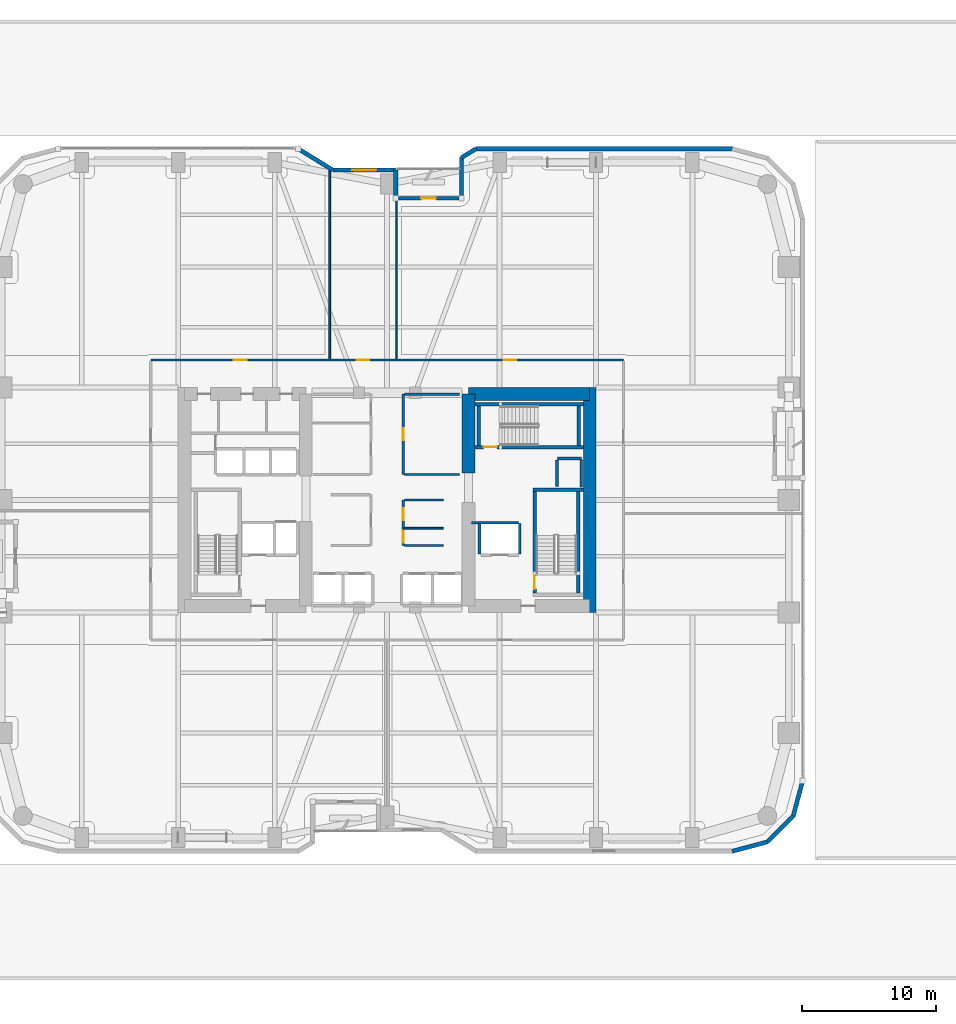
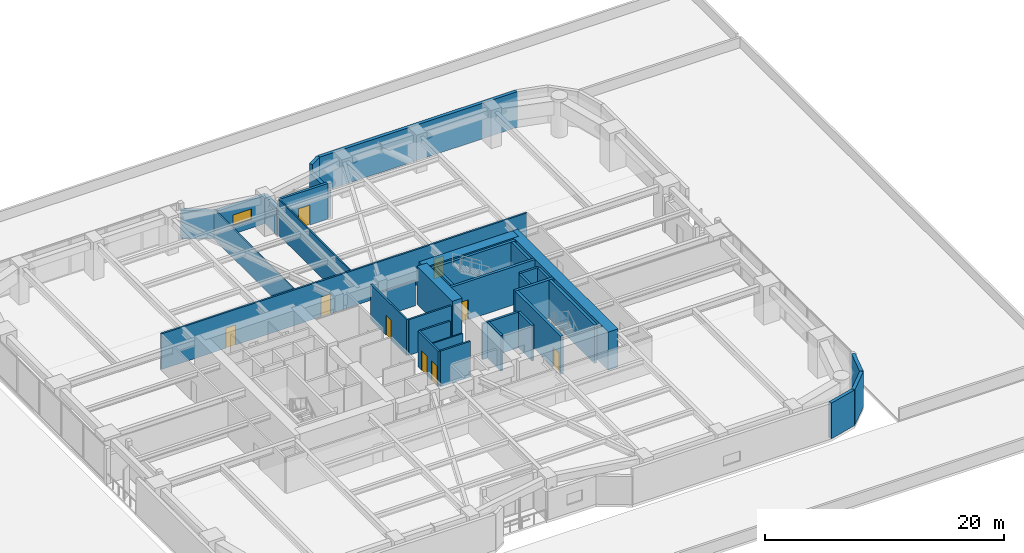
# One storey, part 30 of 38: 36 walls, 9 doors, 1 window, 10 openings.
"""IFC4 building model written with IfcOpenShell, lengths in metres."""

from ifc_helpers import new_model, si_unit, direction, frame, frame_2d, origin, place, context, subcontext, project, spatial, rectangle, extrude, material, layer, layer_set, type_object, element, fill, save


model = new_model("IFC4")

# Units and contexts
model_context = context("Model", 3, precision=1e-05, world=origin(), true_north=direction((0.0, 1.0)))
body_context = subcontext(model_context, "Body", "Model", "MODEL_VIEW")
ifc_project = project(units=[si_unit("LENGTHUNIT", "METRE"), si_unit("AREAUNIT", "SQUARE_METRE"), si_unit("VOLUMEUNIT", "CUBIC_METRE"), si_unit("PLANEANGLEUNIT", "RADIAN"), si_unit("MASSUNIT", "GRAM", prefix="KILO")], contexts=[model_context])

# Site, building, storey
site_placement = place(None, origin())
site = spatial("IfcSite", under=ifc_project, at=site_placement, CompositionType="ELEMENT")
building_placement = place(site_placement, origin())
building = spatial("IfcBuilding", under=site, at=building_placement, Name="Kiyonajd Concourse Tower", CompositionType="ELEMENT")
storey_placement = place(building_placement, frame((0.0, 0.0, 21.60009765625)))
storey = spatial("IfcBuildingStorey", under=building, at=storey_placement, Name="L06", CompositionType="ELEMENT", Elevation=21.60009765625)

# Walls
ifc_material_1 = material(Name="Concrete C80/95", Category="concrete")
ifc_layer_1 = layer(ifc_material_1, 0.949951171875)
ifc_layer_set_1 = layer_set([ifc_layer_1], Name="Concrete C80/95")
wall_type_1 = type_object("IfcWallType", Name="WL-CORE-950", PredefinedType="SHEAR", material=ifc_layer_set_1)
wall_1_placement = place(storey_placement, frame((54.074951171875, 38.0, 0.0), z_axis=(0.0, 0.0, 1.0), x_axis=(0.0, 1.0, 0.0)))
element("IfcWall", 1, at=wall_1_placement, inside=storey, type_object=wall_type_1, Name="L06 East Core Inner North Shear Wall", PredefinedType="SHEAR", context=body_context, shape_type="SweptSolid", body=[
    extrude(rectangle(XDim=5.925048828125, YDim=0.949951171875, at=frame_2d((2.96240234375, 0.0))), origin(), (0.0, 0.0, 1.0), 3.89990234375),
])
wall_2_placement = place(storey_placement, frame((63.125, 27.60009765625, 0.0), z_axis=(0.0, 0.0, 1.0), x_axis=(0.0, 1.0, 0.0)))
element("IfcWall", 2, at=wall_2_placement, inside=storey, type_object=wall_type_1, Name="L06 East Core Outer Shear Wall", PredefinedType="SHEAR", context=body_context, shape_type="SweptSolid", body=[
    extrude(rectangle(XDim=16.7998046875, YDim=0.949951171875, at=frame_2d((8.39990234375, 0.0))), origin(), (0.0, 0.0, 1.0), 3.89990234375),
])
wall_3_placement = place(storey_placement, frame((54.074951171875, 43.925048828125, 0.0), z_axis=(0.0, 0.0, 1.0), x_axis=(1.0, 0.0, 0.0)))
element("IfcWall", 3, at=wall_3_placement, inside=storey, type_object=wall_type_1, Name="L06 East Core North Shear Wall", PredefinedType="SHEAR", context=body_context, shape_type="SweptSolid", body=[
    extrude(rectangle(XDim=9.050048828125, YDim=0.949951171875, at=frame_2d((4.52490234375, 0.0))), origin(), (0.0, 0.0, 1.0), 3.89990234375),
])
ifc_material_2 = material(Name="Precast concrete C50/60", Category="concrete")
ifc_layer_2 = layer(ifc_material_2, 0.320068359375)
ifc_layer_set_2 = layer_set([ifc_layer_2], Name="Precast concrete C50/60")
wall_type_2 = type_object("IfcWallType", Name="WL-EXT-320", PredefinedType="SOLIDWALL", material=ifc_layer_set_2)
wall_4_placement = place(storey_placement, frame((41.354736328125, 62.239990234375, 0.0), z_axis=(0.0, 0.0, 1.0), x_axis=(0.851630857047, -0.524142044989, 0.0)))
element("IfcWall", 4, at=wall_4_placement, inside=storey, type_object=wall_type_2, Name="L06 Exterior Concrete Frame Wall 10", PredefinedType="SOLIDWALL", context=body_context, shape_type="SweptSolid", body=[
    extrude(rectangle(XDim=3.052734375, YDim=0.320068359375, at=frame_2d((1.5263671875, 0.0))), origin(), (0.0, 0.0, 1.0), 2.875),
])

# Wall, opening, window
wall_5_placement = place(storey_placement, frame((43.95458984375, 60.639892578125, 0.0), z_axis=(0.0, 0.0, 1.0), x_axis=(1.0, 0.0, 0.0)))
wall_5 = element("IfcWall", 5, at=wall_5_placement, inside=storey, type_object=wall_type_2, Name="L06 Exterior Concrete Frame Wall 11", PredefinedType="SOLIDWALL", context=body_context, shape_type="SweptSolid", body=[
    extrude(rectangle(XDim=4.685302734375, YDim=0.320068359375, at=frame_2d((2.3427734375, 0.0))), origin(), (0.0, 0.0, 1.0), 2.875),
])
opening_1_placement = place(wall_5_placement, frame((1.443115234375, 0.0, 0.85009765625)))
opening_1 = element("IfcOpeningElement", 6, at=opening_1_placement, cuts=wall_5, Name="Opening WN1", PredefinedType="OPENING", context=body_context, shape_type="SweptSolid", body=[
    extrude(rectangle(XDim=1.800048828125, YDim=1.10009765625, at=frame_2d((0.89990234375, 0.550048828125))), frame((0.0, 0.169921875, 0.0), z_axis=(0.0, -1.0, 0.0), x_axis=(1.0, 0.0, 0.0)), (0.0, 0.0, 1.0), 0.340087890625),
])
ifc_material_3 = material(Name="Double Low-E Insulated Glass", Category="glass")
window_type = type_object("IfcWindowType", Name="WN-VIS-1800x1100", PartitioningType="SINGLE_PANEL", PredefinedType="WINDOW", material=ifc_material_3)
window_placement = place(opening_1_placement, origin())
window = element("IfcWindow", 7, at=window_placement, inside=storey, type_object=window_type, Name="L06 Modular Facade Vision Window 11", OverallHeight=1.10009765625, OverallWidth=1.800048828125, PartitioningType="SINGLE_PANEL", PredefinedType="WINDOW", context=body_context, shape_type="SweptSolid", body=[
    extrude(rectangle(XDim=1.800048828125, YDim=1.10009765625, at=frame_2d((0.89990234375, 0.550048828125))), frame((0.0, 0.030029296875, 0.0), z_axis=(0.0, -1.0, 0.0), x_axis=(1.0, 0.0, 0.0)), (0.0, 0.0, 1.0), 0.06005859375),
])
fill(opening_1, window)

# Walls
wall_6_placement = place(storey_placement, frame((48.639892578125, 60.639892578125, 0.0), z_axis=(0.0, 0.0, 1.0), x_axis=(0.0, -1.0, 0.0)))
element("IfcWall", 8, at=wall_6_placement, inside=storey, type_object=wall_type_2, Name="L06 Exterior Concrete Frame Wall 12", PredefinedType="SOLIDWALL", context=body_context, shape_type="SweptSolid", body=[
    extrude(rectangle(XDim=2.099853515625, YDim=0.320068359375, at=frame_2d((1.0498046875, 0.0))), origin(), (0.0, 0.0, 1.0), 2.875),
])
wall_7_placement = place(storey_placement, frame((53.56005859375, 58.5400390625, 0.0), z_axis=(0.0, 0.0, 1.0), x_axis=(0.0, 1.0, 0.0)))
element("IfcWall", 9, at=wall_7_placement, inside=storey, type_object=wall_type_2, Name="L06 Exterior Concrete Frame Wall 14", PredefinedType="SOLIDWALL", context=body_context, shape_type="SweptSolid", body=[
    extrude(rectangle(XDim=3.032470703125, YDim=0.320068359375, at=frame_2d((1.51611328125, 0.0))), origin(), (0.0, 0.0, 1.0), 2.875),
])
wall_8_placement = place(storey_placement, frame((53.56005859375, 61.572509765625, 0.0), z_axis=(0.0, 0.0, 1.0), x_axis=(0.851776724646, 0.523904964045, 0.0)))
element("IfcWall", 10, at=wall_8_placement, inside=storey, type_object=wall_type_2, Name="L06 Exterior Concrete Frame Wall 15", PredefinedType="SOLIDWALL", context=body_context, shape_type="SweptSolid", body=[
    extrude(rectangle(XDim=1.274169921875, YDim=0.320068359375, at=frame_2d((0.63720703125, 0.0))), origin(), (0.0, 0.0, 1.0), 3.639892578125),
])
wall_9_placement = place(storey_placement, frame((54.645263671875, 62.239990234375, 0.0), z_axis=(0.0, 0.0, 1.0), x_axis=(1.0, 0.0, 0.0)))
element("IfcWall", 11, at=wall_9_placement, inside=storey, type_object=wall_type_2, Name="L06 Exterior Concrete Frame Wall 16", PredefinedType="SOLIDWALL", context=body_context, shape_type="SweptSolid", body=[
    extrude(rectangle(XDim=19.133544921875, YDim=0.320068359375, at=frame_2d((9.56689453125, 0.0))), origin(), (0.0, 0.0, 1.0), 3.639892578125),
])
wall_10_placement = place(storey_placement, frame((79.0400390625, 15.02099609375, 0.0), z_axis=(0.0, 0.0, 1.0), x_axis=(-0.25869736047, -0.965958423373, 0.0)))
element("IfcWall", 12, at=wall_10_placement, inside=storey, type_object=wall_type_2, Name="L06 Exterior Concrete Frame Wall 25", PredefinedType="SOLIDWALL", context=body_context, shape_type="SweptSolid", body=[
    extrude(rectangle(XDim=2.731201171875, YDim=0.320068359375, at=frame_2d((1.36572265625, 0.0))), origin(), (0.0, 0.0, 1.0), 3.639892578125),
])
wall_11_placement = place(storey_placement, frame((78.33349609375, 12.3828125, 0.0), z_axis=(0.0, 0.0, 1.0), x_axis=(-0.707106781187, -0.707106781187, 0.0)))
element("IfcWall", 13, at=wall_11_placement, inside=storey, type_object=wall_type_2, Name="L06 Exterior Concrete Frame Wall 26", PredefinedType="SOLIDWALL", context=body_context, shape_type="SweptSolid", body=[
    extrude(rectangle(XDim=2.7099609375, YDim=0.320068359375, at=frame_2d((1.35498046875, 0.0))), origin(), (0.0, 0.0, 1.0), 3.639892578125),
])
wall_12_placement = place(storey_placement, frame((76.417236328125, 10.466552734375, 0.0), z_axis=(0.0, 0.0, 1.0), x_axis=(-0.965964405026, -0.25867502435, 0.0)))
element("IfcWall", 14, at=wall_12_placement, inside=storey, type_object=wall_type_2, Name="L06 Exterior Concrete Frame Wall 27", PredefinedType="SOLIDWALL", context=body_context, shape_type="SweptSolid", body=[
    extrude(rectangle(XDim=2.7314453125, YDim=0.320068359375, at=frame_2d((1.36572265625, 0.0))), origin(), (0.0, 0.0, 1.0), 3.639892578125),
])

# Wall, opening, door
ifc_layer_3 = layer(ifc_material_2, 0.239990234375)
ifc_layer_set_3 = layer_set([ifc_layer_3], Name="Precast concrete C50/60")
wall_type_3 = type_object("IfcWallType", Name="WL-LOG-240", PredefinedType="SOLIDWALL", material=ifc_layer_set_3)
wall_13_placement = place(storey_placement, frame((48.8349609375, 58.5400390625, 0.0), z_axis=(0.0, 0.0, 1.0), x_axis=(1.0, 0.0, 0.0)))
wall_13 = element("IfcWall", 15, at=wall_13_placement, inside=storey, type_object=wall_type_3, Name="L06 Recessed Loggia Thermal Wall LOG-N", PredefinedType="SOLIDWALL", context=body_context, shape_type="SweptSolid", body=[
    extrude(rectangle(XDim=4.530029296875, YDim=0.239990234375, at=frame_2d((2.26513671875, 0.0))), origin(), (0.0, 0.0, 1.0), 3.639892578125),
])
opening_2_placement = place(wall_13_placement, frame((1.715087890625, 0.0, 0.0)))
opening_2 = element("IfcOpeningElement", 16, at=opening_2_placement, cuts=wall_13, Name="Opening DL2", PredefinedType="OPENING", context=body_context, shape_type="SweptSolid", body=[
    extrude(rectangle(XDim=1.10009765625, YDim=2.0400390625, at=frame_2d((0.550048828125, 1.02001953125))), frame((0.0, 0.1298828125, 0.0), z_axis=(0.0, -1.0, 0.0), x_axis=(1.0, 0.0, 0.0)), (0.0, 0.0, 1.0), 0.260009765625),
])
ifc_material_4 = material(Name="Thermally Broken Anodised Aluminium", Category="aluminium")
door_type_1 = type_object("IfcDoorType", Name="DR-LOG-1100", OperationType="NOTDEFINED", PredefinedType="DOOR", material=ifc_material_4)
door_1_placement = place(opening_2_placement, origin())
door_1 = element("IfcDoor", 17, at=door_1_placement, inside=storey, type_object=door_type_1, Name="L06 Engawa Loggia Access Door LOG-N", OperationType="SINGLE_SWING_RIGHT", OverallHeight=2.0400390625, OverallWidth=1.10009765625, PredefinedType="DOOR", context=body_context, shape_type="SweptSolid", body=[
    extrude(rectangle(XDim=1.10009765625, YDim=2.0400390625, at=frame_2d((0.550048828125, 1.02001953125))), frame((0.0, 0.02490234375, 0.0), z_axis=(0.0, -1.0, 0.0), x_axis=(1.0, 0.0, 0.0)), (0.0, 0.0, 1.0), 0.050048828125),
])
fill(opening_2, door_1)

# Walls
ifc_material_5 = material(Name="Gypsum Board on Cold-Formed Steel Stud", Category="steel")
ifc_layer_4 = layer(ifc_material_5, 0.125)
ifc_layer_set_4 = layer_set([ifc_layer_4], Name="Gypsum Board on Cold-Formed Steel Stud")
wall_type_4 = type_object("IfcWallType", Name="WL-PART-125", PredefinedType="PARTITIONING", material=ifc_layer_set_4)
wall_14_placement = place(storey_placement, frame((49.287109375, 33.89208984375, 0.0), z_axis=(0.0, 0.0, 1.0), x_axis=(1.0, 0.0, 0.0)))
element("IfcWall", 18, at=wall_14_placement, inside=storey, type_object=wall_type_4, Name="L06 Interior Partition Wall", PredefinedType="PARTITIONING", context=body_context, shape_type="SweptSolid", body=[
    extrude(rectangle(XDim=2.912841796875, YDim=0.125, at=frame_2d((1.45654296875, 0.0))), origin(), (0.0, 0.0, 1.0), 3.639892578125),
])
wall_15_placement = place(storey_placement, frame((43.719970703125, 46.537109375, 0.0), z_axis=(0.0, 0.0, 1.0), x_axis=(0.0, 1.0, 0.0)))
element("IfcWall", 19, at=wall_15_placement, inside=storey, type_object=wall_type_4, Name="L06 Interior Partition Wall", PredefinedType="PARTITIONING", context=body_context, shape_type="SweptSolid", body=[
    extrude(rectangle(XDim=14.0927734375, YDim=0.125, at=frame_2d((7.04638671875, 0.0))), origin(), (0.0, 0.0, 1.0), 3.0029296875),
])
wall_16_placement = place(storey_placement, frame((48.68994140625, 46.537109375, 0.0), z_axis=(0.0, 0.0, 1.0), x_axis=(0.0, 1.0, 0.0)))
element("IfcWall", 20, at=wall_16_placement, inside=storey, type_object=wall_type_4, Name="L06 Interior Partition Wall", PredefinedType="PARTITIONING", context=body_context, shape_type="SweptSolid", body=[
    extrude(rectangle(XDim=12.0029296875, YDim=0.125, at=frame_2d((6.00146484375, 0.0))), origin(), (0.0, 0.0, 1.0), 3.639892578125),
])
ifc_layer_5 = layer(ifc_material_5, 0.2099609375)
ifc_layer_set_5 = layer_set([ifc_layer_5], Name="Gypsum Board on Cold-Formed Steel Stud")
wall_type_5 = type_object("IfcWallType", Name="WL-SHAFT-210", PredefinedType="PARTITIONING", material=ifc_layer_set_5)
wall_17_placement = place(storey_placement, frame((60.719970703125, 39.10009765625, 0.0), z_axis=(0.0, 0.0, 1.0), x_axis=(1.0, 0.0, 0.0)))
element("IfcWall", 21, at=wall_17_placement, inside=storey, type_object=wall_type_5, Name="L06 Shaft Enclosure Wall", PredefinedType="PARTITIONING", context=body_context, shape_type="SweptSolid", body=[
    extrude(rectangle(XDim=1.800048828125, YDim=0.2099609375, at=frame_2d((0.89990234375, 0.0))), origin(), (0.0, 0.0, 1.0), 3.639892578125),
])
wall_18_placement = place(storey_placement, frame((60.699951171875, 37.02001953125, 0.0), z_axis=(0.0, 0.0, 1.0), x_axis=(0.0, 1.0, 0.0)))
element("IfcWall", 22, at=wall_18_placement, inside=storey, type_object=wall_type_5, Name="L06 Shaft Enclosure Wall", PredefinedType="PARTITIONING", context=body_context, shape_type="SweptSolid", body=[
    extrude(rectangle(XDim=1.9599609375, YDim=0.2099609375, at=frame_2d((0.97998046875, 0.0))), origin(), (0.0, 0.0, 1.0), 3.639892578125),
])
wall_19_placement = place(storey_placement, frame((62.5, 36.97998046875, 0.0), z_axis=(0.0, 0.0, 1.0), x_axis=(0.0, 1.0, 0.0)))
element("IfcWall", 23, at=wall_19_placement, inside=storey, type_object=wall_type_5, Name="L06 Shaft Enclosure Wall", PredefinedType="PARTITIONING", context=body_context, shape_type="SweptSolid", body=[
    extrude(rectangle(XDim=2.0400390625, YDim=0.2099609375, at=frame_2d((1.02001953125, 0.0))), origin(), (0.0, 0.0, 1.0), 3.639892578125),
])
wall_20_placement = place(storey_placement, frame((54.320068359375, 34.300048828125, 0.0), z_axis=(0.0, 0.0, 1.0), x_axis=(1.0, 0.0, 0.0)))
element("IfcWall", 24, at=wall_20_placement, inside=storey, type_object=wall_type_5, Name="L06 Shaft Enclosure Wall", PredefinedType="PARTITIONING", context=body_context, shape_type="SweptSolid", body=[
    extrude(rectangle(XDim=3.47998046875, YDim=0.2099609375, at=frame_2d((1.739990234375, 0.0))), origin(), (0.0, 0.0, 1.0), 3.639892578125),
])
for number, where, z_axis, x_axis, name in (
    (25, (54.89990234375, 31.9599609375, 0.0), (0.0, 0.0, 1.0), (0.0, 1.0, 0.0), "L06 Shaft Enclosure Wall"),
    (26, (57.89990234375, 31.9599609375, 0.0), (0.0, 0.0, 1.0), (0.0, 1.0, 0.0), "L06 Shaft Enclosure Wall"),
):
    element("IfcWall", number, at=place(storey_placement, frame(where, z_axis=z_axis, x_axis=x_axis)), inside=storey, type_object=wall_type_5, Name=name, PredefinedType="PARTITIONING", context=body_context, shape_type="SweptSolid", body=[
        extrude(rectangle(XDim=2.280029296875, YDim=0.2099609375, at=frame_2d((1.14013671875, 0.0))), origin(), (0.0, 0.0, 1.0), 3.639892578125),
    ])

# Wall, openings, doors
ifc_layer_6 = layer(ifc_material_5, 0.169921875)
ifc_layer_set_6 = layer_set([ifc_layer_6], Name="Gypsum Board on Cold-Formed Steel Stud")
wall_type_6 = type_object("IfcWallType", Name="WL-SMK-170", PredefinedType="PARTITIONING", material=ifc_layer_set_6)
wall_21_placement = place(storey_placement, frame((49.199951171875, 32.60009765625, 0.0), z_axis=(0.0, 0.0, 1.0), x_axis=(0.0, 1.0, 0.0)))
wall_21 = element("IfcWall", 27, at=wall_21_placement, inside=storey, type_object=wall_type_6, Name="L06 Interior Partition Wall", PredefinedType="PARTITIONING", context=body_context, shape_type="SweptSolid", body=[
    extrude(rectangle(XDim=3.39990234375, YDim=0.169921875, at=frame_2d((1.699951171875, 0.0))), origin(), (0.0, 0.0, 1.0), 3.639892578125),
])
opening_3_placement = place(wall_21_placement, frame((0.196044921875, 0.0, 0.0)))
opening_3 = element("IfcOpeningElement", 28, at=opening_3_placement, cuts=wall_21, Name="Opening DI2", PredefinedType="OPENING", context=body_context, shape_type="SweptSolid", body=[
    extrude(rectangle(XDim=0.89990234375, YDim=2.02001953125, at=frame_2d((0.449951171875, 1.010009765625))), frame((0.0, 0.094970703125, 0.0), z_axis=(0.0, -1.0, 0.0), x_axis=(1.0, 0.0, 0.0)), (0.0, 0.0, 1.0), 0.18994140625),
])
opening_4_placement = place(wall_21_placement, frame((1.89599609375, 0.0, 0.0)))
opening_4 = element("IfcOpeningElement", 29, at=opening_4_placement, cuts=wall_21, Name="Opening DI2", PredefinedType="OPENING", context=body_context, shape_type="SweptSolid", body=[
    extrude(rectangle(XDim=0.89990234375, YDim=2.02001953125, at=frame_2d((0.449951171875, 1.010009765625))), frame((0.0, 0.094970703125, 0.0), z_axis=(0.0, -1.0, 0.0), x_axis=(1.0, 0.0, 0.0)), (0.0, 0.0, 1.0), 0.18994140625),
])
ifc_material_6 = material(Name="Natural Oak Acoustic Timber Veneer", Category="wood")
door_type_2 = type_object("IfcDoorType", Name="DR-INT-900", OperationType="NOTDEFINED", PredefinedType="DOOR", material=ifc_material_6)
door_2_placement = place(opening_3_placement, origin())
door_2 = element("IfcDoor", 30, at=door_2_placement, inside=storey, type_object=door_type_2, Name="L06 Interior Door", OperationType="SINGLE_SWING_LEFT", OverallHeight=2.02001953125, OverallWidth=0.89990234375, PredefinedType="DOOR", context=body_context, shape_type="SweptSolid", body=[
    extrude(rectangle(XDim=0.89990234375, YDim=2.02001953125, at=frame_2d((0.449951171875, 1.010009765625))), frame((0.0, 0.02490234375, 0.0), z_axis=(0.0, -1.0, 0.0), x_axis=(1.0, 0.0, 0.0)), (0.0, 0.0, 1.0), 0.050048828125),
])
fill(opening_3, door_2)
door_3_placement = place(opening_4_placement, origin())
door_3 = element("IfcDoor", 31, at=door_3_placement, inside=storey, type_object=door_type_2, Name="L06 Interior Door", OperationType="SINGLE_SWING_RIGHT", OverallHeight=2.02001953125, OverallWidth=0.89990234375, PredefinedType="DOOR", context=body_context, shape_type="SweptSolid", body=[
    extrude(rectangle(XDim=0.89990234375, YDim=2.02001953125, at=frame_2d((0.449951171875, 1.010009765625))), frame((0.0, 0.02490234375, 0.0), z_axis=(0.0, -1.0, 0.0), x_axis=(1.0, 0.0, 0.0)), (0.0, 0.0, 1.0), 0.050048828125),
])
fill(opening_4, door_3)

# Walls
for number, where, z_axis, x_axis, name in (
    (32, (49.287109375, 32.60009765625, 0.0), (0.0, 0.0, 1.0), (1.0, 0.0, 0.0), "L06 Interior Partition Wall"),
    (33, (49.287109375, 36.0, 0.0), (0.0, 0.0, 1.0), (1.0, 0.0, 0.0), "L06 Interior Partition Wall"),
):
    element("IfcWall", number, at=place(storey_placement, frame(where, z_axis=z_axis, x_axis=x_axis)), inside=storey, type_object=wall_type_6, Name=name, PredefinedType="PARTITIONING", context=body_context, shape_type="SweptSolid", body=[
        extrude(rectangle(XDim=2.912841796875, YDim=0.169921875, at=frame_2d((1.45654296875, 0.0))), origin(), (0.0, 0.0, 1.0), 3.639892578125),
    ])

# Wall, opening, door
wall_22_placement = place(storey_placement, frame((49.199951171875, 37.89990234375, 0.0), z_axis=(0.0, 0.0, 1.0), x_axis=(0.0, 1.0, 0.0)))
wall_22 = element("IfcWall", 34, at=wall_22_placement, inside=storey, type_object=wall_type_6, Name="L06 Interior Partition Wall", PredefinedType="PARTITIONING", context=body_context, shape_type="SweptSolid", body=[
    extrude(rectangle(XDim=6.0, YDim=0.169921875, at=frame_2d((3.0, 0.0))), origin(), (0.0, 0.0, 1.0), 3.639892578125),
])
opening_5_placement = place(wall_22_placement, frame((2.550048828125, 0.0, 0.0)))
opening_5 = element("IfcOpeningElement", 35, at=opening_5_placement, cuts=wall_22, Name="Opening DI2", PredefinedType="OPENING", context=body_context, shape_type="SweptSolid", body=[
    extrude(rectangle(XDim=0.89990234375, YDim=2.02001953125, at=frame_2d((0.449951171875, 1.010009765625))), frame((0.0, 0.094970703125, 0.0), z_axis=(0.0, -1.0, 0.0), x_axis=(1.0, 0.0, 0.0)), (0.0, 0.0, 1.0), 0.18994140625),
])
door_4_placement = place(opening_5_placement, origin())
door_4 = element("IfcDoor", 36, at=door_4_placement, inside=storey, type_object=door_type_2, Name="L06 Interior Door", OperationType="SINGLE_SWING_LEFT", OverallHeight=2.02001953125, OverallWidth=0.89990234375, PredefinedType="DOOR", context=body_context, shape_type="SweptSolid", body=[
    extrude(rectangle(XDim=0.89990234375, YDim=2.02001953125, at=frame_2d((0.449951171875, 1.010009765625))), frame((0.0, 0.02490234375, 0.0), z_axis=(0.0, -1.0, 0.0), x_axis=(1.0, 0.0, 0.0)), (0.0, 0.0, 1.0), 0.050048828125),
])
fill(opening_5, door_4)

# Walls
wall_23_placement = place(storey_placement, frame((49.287109375, 37.89990234375, 0.0), z_axis=(0.0, 0.0, 1.0), x_axis=(1.0, 0.0, 0.0)))
element("IfcWall", 37, at=wall_23_placement, inside=storey, type_object=wall_type_6, Name="L06 Interior Partition Wall", PredefinedType="PARTITIONING", context=body_context, shape_type="SweptSolid", body=[
    extrude(rectangle(XDim=4.11279296875, YDim=0.169921875, at=frame_2d((2.056396484375, 0.0))), origin(), (0.0, 0.0, 1.0), 3.639892578125),
])
wall_24_placement = place(storey_placement, frame((49.287109375, 43.89990234375, 0.0), z_axis=(0.0, 0.0, 1.0), x_axis=(1.0, 0.0, 0.0)))
element("IfcWall", 38, at=wall_24_placement, inside=storey, type_object=wall_type_6, Name="L06 Interior Partition Wall", PredefinedType="PARTITIONING", context=body_context, shape_type="SweptSolid", body=[
    extrude(rectangle(XDim=4.11279296875, YDim=0.169921875, at=frame_2d((2.056396484375, 0.0))), origin(), (0.0, 0.0, 1.0), 2.52490234375),
])

# Wall, openings, doors
wall_25_placement = place(storey_placement, frame((30.35009765625, 46.449951171875, 0.0), z_axis=(0.0, 0.0, 1.0), x_axis=(1.0, 0.0, 0.0)))
wall_25 = element("IfcWall", 39, at=wall_25_placement, inside=storey, type_object=wall_type_6, Name="L06 Interior Partition Wall", PredefinedType="PARTITIONING", context=body_context, shape_type="SweptSolid", body=[
    extrude(rectangle(XDim=35.2998046875, YDim=0.169921875, at=frame_2d((17.64990234375, 0.0))), origin(), (0.0, 0.0, 1.0), 3.639892578125),
])
opening_6_placement = place(wall_25_placement, frame((6.2099609375, 0.0, 0.0)))
opening_6 = element("IfcOpeningElement", 40, at=opening_6_placement, cuts=wall_25, Name="Opening DI1", PredefinedType="OPENING", context=body_context, shape_type="SweptSolid", body=[
    extrude(rectangle(XDim=0.949951171875, YDim=2.0400390625, at=frame_2d((0.47509765625, 1.02001953125))), frame((0.0, 0.094970703125, 0.0), z_axis=(0.0, -1.0, 0.0), x_axis=(1.0, 0.0, 0.0)), (0.0, 0.0, 1.0), 0.18994140625),
])
opening_7_placement = place(wall_25_placement, frame((15.3798828125, 0.0, 0.0)))
opening_7 = element("IfcOpeningElement", 41, at=opening_7_placement, cuts=wall_25, Name="Opening DI1", PredefinedType="OPENING", context=body_context, shape_type="SweptSolid", body=[
    extrude(rectangle(XDim=0.949951171875, YDim=2.0400390625, at=frame_2d((0.47509765625, 1.02001953125))), frame((0.0, 0.094970703125, 0.0), z_axis=(0.0, -1.0, 0.0), x_axis=(1.0, 0.0, 0.0)), (0.0, 0.0, 1.0), 0.18994140625),
])
opening_8_placement = place(wall_25_placement, frame((26.344970703125, 0.0, 0.0)))
opening_8 = element("IfcOpeningElement", 42, at=opening_8_placement, cuts=wall_25, Name="Opening DI1", PredefinedType="OPENING", context=body_context, shape_type="SweptSolid", body=[
    extrude(rectangle(XDim=0.949951171875, YDim=2.0400390625, at=frame_2d((0.47509765625, 1.02001953125))), frame((0.0, 0.094970703125, 0.0), z_axis=(0.0, -1.0, 0.0), x_axis=(1.0, 0.0, 0.0)), (0.0, 0.0, 1.0), 0.18994140625),
])
door_type_3 = type_object("IfcDoorType", Name="DR-INT-950", OperationType="NOTDEFINED", PredefinedType="DOOR", material=ifc_material_6)
door_5_placement = place(opening_6_placement, origin())
door_5 = element("IfcDoor", 43, at=door_5_placement, inside=storey, type_object=door_type_3, Name="L06 Interior Door", OperationType="SINGLE_SWING_RIGHT", OverallHeight=2.0400390625, OverallWidth=0.949951171875, PredefinedType="DOOR", context=body_context, shape_type="SweptSolid", body=[
    extrude(rectangle(XDim=0.949951171875, YDim=2.0400390625, at=frame_2d((0.47509765625, 1.02001953125))), frame((0.0, 0.02490234375, 0.0), z_axis=(0.0, -1.0, 0.0), x_axis=(1.0, 0.0, 0.0)), (0.0, 0.0, 1.0), 0.050048828125),
])
fill(opening_6, door_5)
door_6_placement = place(opening_7_placement, origin())
door_6 = element("IfcDoor", 44, at=door_6_placement, inside=storey, type_object=door_type_3, Name="L06 Interior Door", OperationType="SINGLE_SWING_LEFT", OverallHeight=2.0400390625, OverallWidth=0.949951171875, PredefinedType="DOOR", context=body_context, shape_type="SweptSolid", body=[
    extrude(rectangle(XDim=0.949951171875, YDim=2.0400390625, at=frame_2d((0.47509765625, 1.02001953125))), frame((0.0, 0.02490234375, 0.0), z_axis=(0.0, -1.0, 0.0), x_axis=(1.0, 0.0, 0.0)), (0.0, 0.0, 1.0), 0.050048828125),
])
fill(opening_7, door_6)
door_7_placement = place(opening_8_placement, origin())
door_7 = element("IfcDoor", 45, at=door_7_placement, inside=storey, type_object=door_type_3, Name="L06 Interior Door", OperationType="SINGLE_SWING_RIGHT", OverallHeight=2.0400390625, OverallWidth=0.949951171875, PredefinedType="DOOR", context=body_context, shape_type="SweptSolid", body=[
    extrude(rectangle(XDim=0.949951171875, YDim=2.0400390625, at=frame_2d((0.47509765625, 1.02001953125))), frame((0.0, 0.02490234375, 0.0), z_axis=(0.0, -1.0, 0.0), x_axis=(1.0, 0.0, 0.0)), (0.0, 0.0, 1.0), 0.050048828125),
])
fill(opening_8, door_7)

# Wall
ifc_material_7 = material(Name="Concrete C50/60", Category="concrete")
ifc_layer_7 = layer(ifc_material_7, 0.260009765625)
ifc_layer_set_7 = layer_set([ifc_layer_7], Name="Concrete C50/60")
wall_type_7 = type_object("IfcWallType", Name="WL-STAIR-260", PredefinedType="SHEAR", material=ifc_layer_set_7)
wall_26_placement = place(storey_placement, frame((58.889892578125, 36.780029296875, 0.0), z_axis=(0.0, 0.0, 1.0), x_axis=(1.0, 0.0, 0.0)))
element("IfcWall", 46, at=wall_26_placement, inside=storey, type_object=wall_type_7, Name="L06 Stair ST2 Structural North Wall", PredefinedType="SHEAR", context=body_context, shape_type="SweptSolid", body=[
    extrude(rectangle(XDim=3.760009765625, YDim=0.260009765625, at=frame_2d((1.8798828125, 0.0))), origin(), (0.0, 0.0, 1.0), 3.89990234375),
])

# Wall, opening, door
wall_27_placement = place(storey_placement, frame((59.02001953125, 29.050048828125, 0.0), z_axis=(0.0, 0.0, 1.0), x_axis=(0.0, 1.0, 0.0)))
wall_27 = element("IfcWall", 47, at=wall_27_placement, inside=storey, type_object=wall_type_7, Name="L06 Stair ST2 Structural West Wall", PredefinedType="SHEAR", context=body_context, shape_type="SweptSolid", body=[
    extrude(rectangle(XDim=7.599853515625, YDim=0.260009765625, at=frame_2d((3.7998046875, 0.0))), origin(), (0.0, 0.0, 1.0), 3.89990234375),
])
opening_9_placement = place(wall_27_placement, frame((0.300048828125, 0.0, 0.0)))
opening_9 = element("IfcOpeningElement", 48, at=opening_9_placement, cuts=wall_27, Name="Opening DF1", PredefinedType="OPENING", context=body_context, shape_type="SweptSolid", body=[
    extrude(rectangle(XDim=1.0, YDim=2.0400390625, at=frame_2d((0.5, 1.02001953125))), frame((0.0, 0.139892578125, 0.0), z_axis=(0.0, -1.0, 0.0), x_axis=(1.0, 0.0, 0.0)), (0.0, 0.0, 1.0), 0.280029296875),
])
ifc_material_8 = material(Name="Brushed Stainless Steel Cab Assembly", Category="steel")
door_type_4 = type_object("IfcDoorType", Name="DR-FD90-1000", OperationType="NOTDEFINED", PredefinedType="DOOR", material=ifc_material_8)
door_8_placement = place(opening_9_placement, origin())
door_8 = element("IfcDoor", 49, at=door_8_placement, inside=storey, type_object=door_type_4, Name="L06 Stair ST2 FSAE Door", OperationType="SINGLE_SWING_RIGHT", OverallHeight=2.0400390625, OverallWidth=1.0, PredefinedType="DOOR", context=body_context, shape_type="SweptSolid", body=[
    extrude(rectangle(XDim=1.0, YDim=2.0400390625, at=frame_2d((0.5, 1.02001953125))), frame((0.0, 0.02490234375, 0.0), z_axis=(0.0, -1.0, 0.0), x_axis=(1.0, 0.0, 0.0)), (0.0, 0.0, 1.0), 0.050048828125),
])
fill(opening_9, door_8)

# Wall
wall_28_placement = place(storey_placement, frame((62.280029296875, 29.050048828125, 0.0), z_axis=(0.0, 0.0, 1.0), x_axis=(0.0, 1.0, 0.0)))
element("IfcWall", 50, at=wall_28_placement, inside=storey, type_object=wall_type_7, Name="L06 Stair ST2 Structural East Wall", PredefinedType="SHEAR", context=body_context, shape_type="SweptSolid", body=[
    extrude(rectangle(XDim=7.599853515625, YDim=0.260009765625, at=frame_2d((3.7998046875, 0.0))), origin(), (0.0, 0.0, 1.0), 3.89990234375),
])

# Wall, opening, door
wall_29_placement = place(storey_placement, frame((54.550048828125, 39.949951171875, 0.0), z_axis=(0.0, 0.0, 1.0), x_axis=(1.0, 0.0, 0.0)))
wall_29 = element("IfcWall", 51, at=wall_29_placement, inside=storey, type_object=wall_type_7, Name="L06 Stair ST3 Structural South Wall", PredefinedType="SHEAR", context=body_context, shape_type="SweptSolid", body=[
    extrude(rectangle(XDim=8.099853515625, YDim=0.260009765625, at=frame_2d((4.0498046875, 0.0))), origin(), (0.0, 0.0, 1.0), 3.89990234375),
])
opening_10_placement = place(wall_29_placement, frame((0.64990234375, 0.0, 0.0)))
opening_10 = element("IfcOpeningElement", 52, at=opening_10_placement, cuts=wall_29, Name="Opening DF1", PredefinedType="OPENING", context=body_context, shape_type="SweptSolid", body=[
    extrude(rectangle(XDim=1.0, YDim=2.0400390625, at=frame_2d((0.5, 1.02001953125))), frame((0.0, 0.139892578125, 0.0), z_axis=(0.0, -1.0, 0.0), x_axis=(1.0, 0.0, 0.0)), (0.0, 0.0, 1.0), 0.280029296875),
])
door_9_placement = place(opening_10_placement, origin())
door_9 = element("IfcDoor", 53, at=door_9_placement, inside=storey, type_object=door_type_4, Name="L06 Stair ST3 Enclosure Door", OperationType="SINGLE_SWING_LEFT", OverallHeight=2.0400390625, OverallWidth=1.0, PredefinedType="DOOR", context=body_context, shape_type="SweptSolid", body=[
    extrude(rectangle(XDim=1.0, YDim=2.0400390625, at=frame_2d((0.5, 1.02001953125))), frame((0.0, 0.02490234375, 0.0), z_axis=(0.0, -1.0, 0.0), x_axis=(1.0, 0.0, 0.0)), (0.0, 0.0, 1.0), 0.050048828125),
])
fill(opening_10, door_9)

# Walls
wall_30_placement = place(storey_placement, frame((54.550048828125, 43.14990234375, 0.0), z_axis=(0.0, 0.0, 1.0), x_axis=(1.0, 0.0, 0.0)))
element("IfcWall", 54, at=wall_30_placement, inside=storey, type_object=wall_type_7, Name="L06 Stair ST3 Structural North Wall", PredefinedType="SHEAR", context=body_context, shape_type="SweptSolid", body=[
    extrude(rectangle(XDim=8.099853515625, YDim=0.260009765625, at=frame_2d((4.0498046875, 0.0))), origin(), (0.0, 0.0, 1.0), 3.89990234375),
])
for number, where, z_axis, x_axis, name in (
    (55, (54.85009765625, 40.080078125, 0.0), (0.0, 0.0, 1.0), (0.0, 1.0, 0.0), "L06 Stair ST3 Structural West Wall"),
    (56, (62.31005859375, 40.080078125, 0.0), (0.0, 0.0, 1.0), (0.0, 1.0, 0.0), "L06 Stair ST3 Structural East Wall"),
):
    element("IfcWall", number, at=place(storey_placement, frame(where, z_axis=z_axis, x_axis=x_axis)), inside=storey, type_object=wall_type_7, Name=name, PredefinedType="SHEAR", context=body_context, shape_type="SweptSolid", body=[
        extrude(rectangle(XDim=2.93994140625, YDim=0.260009765625, at=frame_2d((1.469970703125, 0.0))), origin(), (0.0, 0.0, 1.0), 3.89990234375),
    ])

save(model, "model.ifc")
